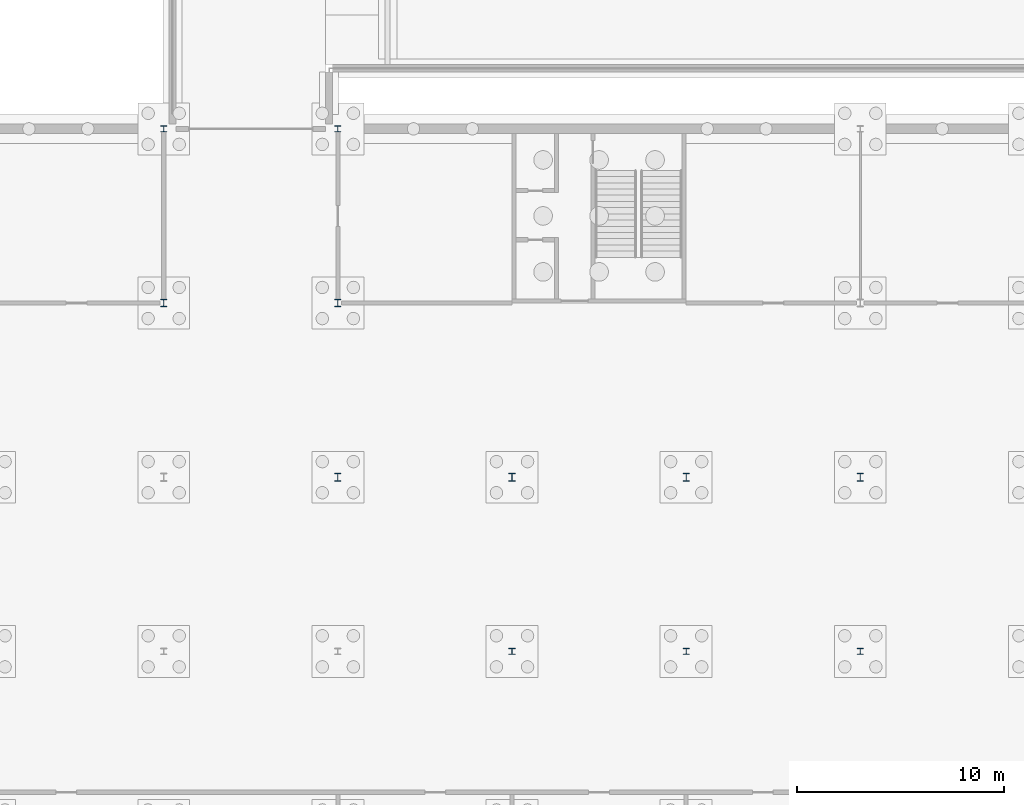
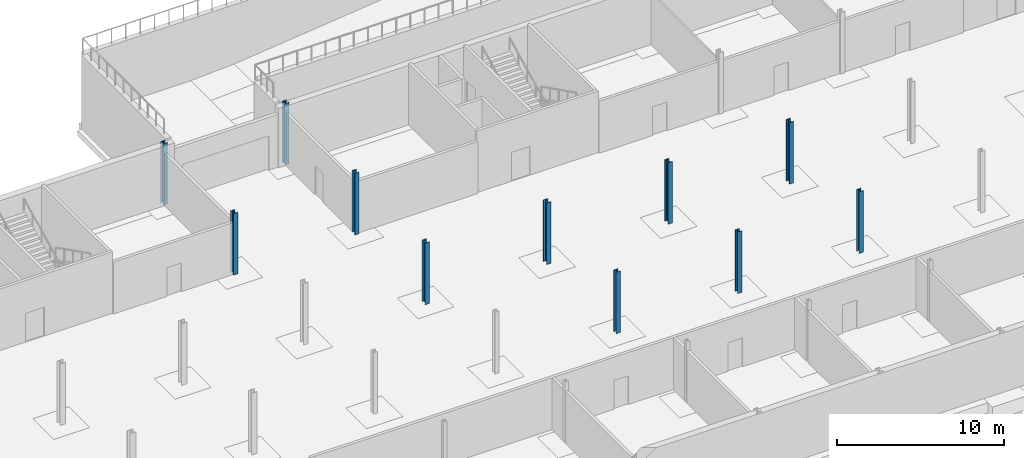
# One storey, part 12 of 35: 11 columns.
"""IFC4 building model written with IfcOpenShell, lengths in metres."""

from ifc_helpers import new_model, si_unit, direction, frame, origin, origin_2d, place, context, subcontext, project, spatial, i_section, extrude, material, material_profile, profile_set, type_object, element, save


model = new_model("IFC4")

# Units and contexts
model_context = context("Model", 3, precision=1e-05, world=origin(), true_north=direction((0.0, 1.0)))
body_context = subcontext(model_context, "Body", "Model", "MODEL_VIEW")
ifc_project = project(units=[si_unit("LENGTHUNIT", "METRE"), si_unit("AREAUNIT", "SQUARE_METRE"), si_unit("VOLUMEUNIT", "CUBIC_METRE"), si_unit("PLANEANGLEUNIT", "RADIAN"), si_unit("MASSUNIT", "GRAM", prefix="KILO")], contexts=[model_context])

# Site, building, storey
site_placement = place(None, origin())
site = spatial("IfcSite", under=ifc_project, at=site_placement, CompositionType="ELEMENT")
building_placement = place(site_placement, origin())
building = spatial("IfcBuilding", under=site, at=building_placement, Name="Ardhachandra Cancer Care Centre", CompositionType="ELEMENT")
storey_placement = place(building_placement, frame((0.0, 0.0, -4.5)))
storey = spatial("IfcBuildingStorey", under=building, at=storey_placement, Name="B1", CompositionType="ELEMENT", Elevation=-4.5)

# Columns
ifc_material_1 = material(Name="Steel E350 (IS 2062)", Category="steel")
ifc_material_profile_1 = material_profile(ifc_material_1, i_section(OverallWidth=0.300048828125, OverallDepth=0.300048828125, WebThickness=0.010986328125, FlangeThickness=0.01904296875, FilletRadius=0.027099609375, at=origin_2d()), Name="WPB 300x300x117.03")
ifc_profile_set_1 = profile_set([ifc_material_profile_1], Name="Steel E350 (IS 2062)")
column_type_1 = type_object("IfcColumnType", Name="Column WPB 300x300x117.03", PredefinedType="COLUMN", material=ifc_profile_set_1)
for number, where, z_axis, x_axis, name in (
    (1, (69.60009765625, 71.39990234375, 0.0), (0.0, 0.0, 1.0), (1.0, 0.0, 0.0), "Column H8 B1"),
    (2, (78.0, 71.39990234375, 0.0), (0.0, 0.0, 1.0), (1.0, 0.0, 0.0), "Column H9 B1"),
    (3, (86.39990234375, 71.39990234375, 0.0), (0.0, 0.0, 1.0), (1.0, 0.0, 0.0), "Column H10 B1"),
    (4, (52.800048828125, 96.60009765625, 0.0), (0.0, 0.0, 1.0), (1.0, 0.0, 0.0), "Column L6 B1"),
    (5, (61.199951171875, 96.60009765625, 0.0), (0.0, 0.0, 1.0), (1.0, 0.0, 0.0), "Column L7 B1"),
):
    element("IfcColumn", number, at=place(storey_placement, frame(where, z_axis=z_axis, x_axis=x_axis)), inside=storey, type_object=column_type_1, Name=name, PredefinedType="COLUMN", context=body_context, shape_type="SweptSolid", body=[
        extrude(i_section(OverallWidth=0.300048828125, OverallDepth=0.300048828125, WebThickness=0.010986328125, FlangeThickness=0.01904296875, FilletRadius=0.027099609375, at=origin_2d()), origin(), (0.0, 0.0, 1.0), 4.5),
    ])
ifc_material_2 = material(Name="Steel E350 (IS 2062)", Category="steel")
ifc_material_profile_2 = material_profile(ifc_material_2, i_section(OverallWidth=0.300048828125, OverallDepth=0.360107421875, WebThickness=0.012451171875, FlangeThickness=0.0224609375, FilletRadius=0.027099609375, at=origin_2d()), Name="WPB 360x300x141.80")
ifc_profile_set_2 = profile_set([ifc_material_profile_2], Name="Steel E350 (IS 2062)")
column_type_2 = type_object("IfcColumnType", Name="Column WPB 360x300x141.80", PredefinedType="COLUMN", material=ifc_profile_set_2)
for number, where, z_axis, x_axis, name in (
    (6, (52.800048828125, 88.199951171875, 0.0), (0.0, 0.0, 1.0), (1.0, 0.0, 0.0), "Column K6 B1"),
    (7, (61.199951171875, 88.199951171875, 0.0), (0.0, 0.0, 1.0), (1.0, 0.0, 0.0), "Column K7 B1"),
):
    element("IfcColumn", number, at=place(storey_placement, frame(where, z_axis=z_axis, x_axis=x_axis)), inside=storey, type_object=column_type_2, Name=name, PredefinedType="COLUMN", context=body_context, shape_type="SweptSolid", body=[
        extrude(i_section(OverallWidth=0.300048828125, OverallDepth=0.360107421875, WebThickness=0.012451171875, FlangeThickness=0.0224609375, FilletRadius=0.027099609375, at=origin_2d()), origin(), (0.0, 0.0, 1.0), 4.5),
    ])
ifc_material_3 = material(Name="Steel E350 (IS 2062)", Category="steel")
ifc_material_profile_3 = material_profile(ifc_material_3, i_section(OverallWidth=0.300048828125, OverallDepth=0.39990234375, WebThickness=0.013427734375, FlangeThickness=0.02392578125, FilletRadius=0.027099609375, at=origin_2d()), Name="WPB 400x300x155.26")
ifc_profile_set_3 = profile_set([ifc_material_profile_3], Name="Steel E350 (IS 2062)")
column_type_3 = type_object("IfcColumnType", Name="Column WPB 400x300x155.26", PredefinedType="COLUMN", material=ifc_profile_set_3)
for number, where, z_axis, x_axis, name in (
    (8, (61.199951171875, 79.800048828125, 0.0), (0.0, 0.0, 1.0), (1.0, 0.0, 0.0), "Column J7 B1"),
    (9, (69.60009765625, 79.800048828125, 0.0), (0.0, 0.0, 1.0), (1.0, 0.0, 0.0), "Column J8 B1"),
    (10, (78.0, 79.800048828125, 0.0), (0.0, 0.0, 1.0), (1.0, 0.0, 0.0), "Column J9 B1"),
    (11, (86.39990234375, 79.800048828125, 0.0), (0.0, 0.0, 1.0), (1.0, 0.0, 0.0), "Column J10 B1"),
):
    element("IfcColumn", number, at=place(storey_placement, frame(where, z_axis=z_axis, x_axis=x_axis)), inside=storey, type_object=column_type_3, Name=name, PredefinedType="COLUMN", context=body_context, shape_type="SweptSolid", body=[
        extrude(i_section(OverallWidth=0.300048828125, OverallDepth=0.39990234375, WebThickness=0.013427734375, FlangeThickness=0.02392578125, FilletRadius=0.027099609375, at=origin_2d()), origin(), (0.0, 0.0, 1.0), 4.5),
    ])

save(model, "model.ifc")
